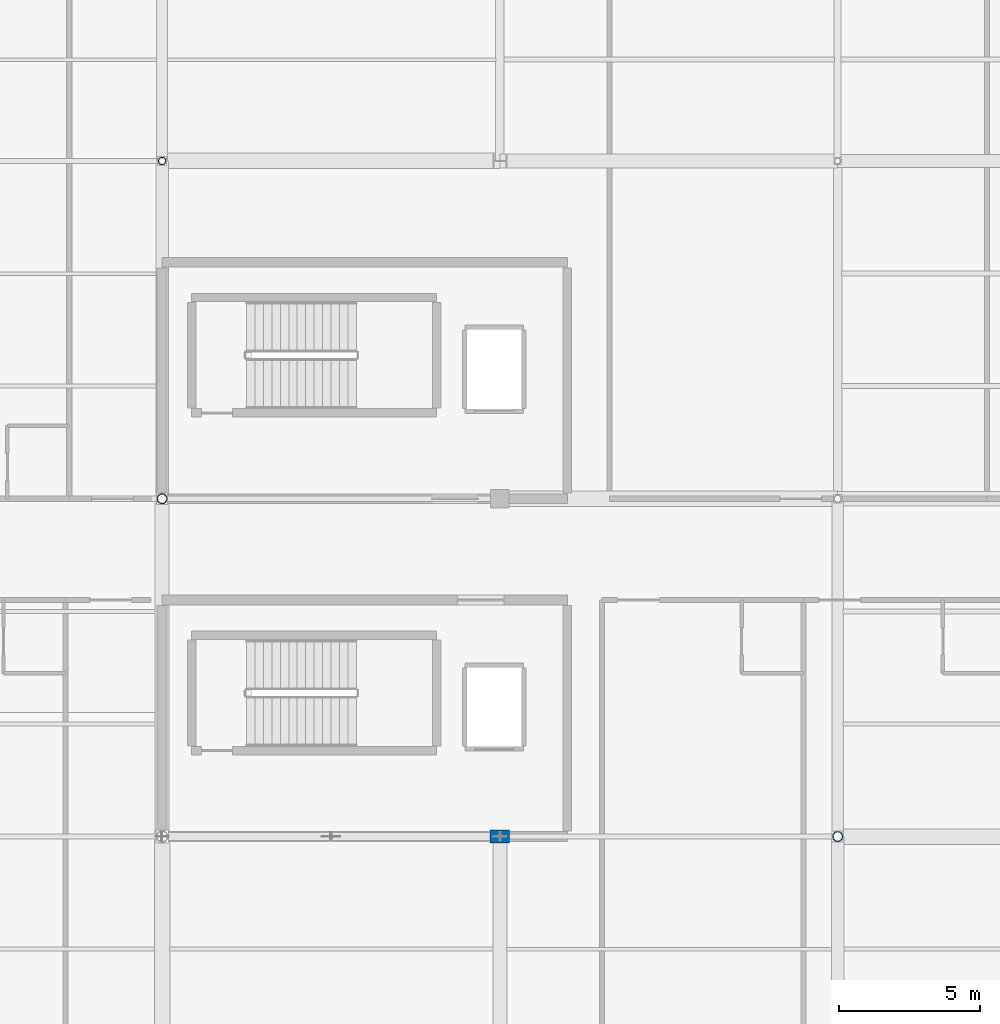
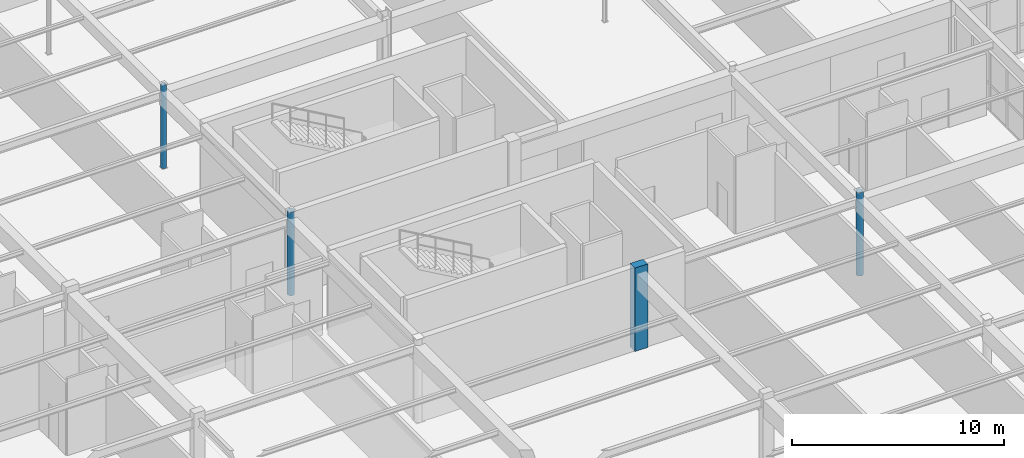
# One storey, part 19 of 226: 4 columns.
"""IFC4 building model written with IfcOpenShell, lengths in metres."""

from ifc_helpers import new_model, si_unit, direction, frame, origin, origin_2d, place, context, subcontext, project, spatial, rectangle, hollow_circle, extrude, material, material_profile, profile_set, type_object, element, save


model = new_model("IFC4")

# Units and contexts
model_context = context("Model", 3, precision=1e-05, world=origin(), true_north=direction((0.0, 1.0)))
body_context = subcontext(model_context, "Body", "Model", "MODEL_VIEW")
ifc_project = project(units=[si_unit("LENGTHUNIT", "METRE"), si_unit("AREAUNIT", "SQUARE_METRE"), si_unit("VOLUMEUNIT", "CUBIC_METRE"), si_unit("PLANEANGLEUNIT", "RADIAN"), si_unit("MASSUNIT", "GRAM", prefix="KILO")], contexts=[model_context])

# Site, building, storey
site_placement = place(None, origin())
site = spatial("IfcSite", under=ifc_project, at=site_placement, CompositionType="ELEMENT")
building_placement = place(site_placement, origin())
building = spatial("IfcBuilding", under=site, at=building_placement, Name="Tarnwether General Hospital", CompositionType="ELEMENT")
storey_placement = place(building_placement, frame((0.0, 0.0, 4.800048828125)))
storey = spatial("IfcBuildingStorey", under=building, at=storey_placement, Name="L01", CompositionType="ELEMENT", Elevation=4.800048828125)

# Columns
ifc_material_1 = material(Name="Steel Grade C350L0 (350 MPa)", Category="steel")
ifc_material_profile_1 = material_profile(ifc_material_1, hollow_circle(Radius=0.177734375, WallThickness=0.0126953125, at=origin_2d()), Name="CHS355.6x12.7")
ifc_profile_set_1 = profile_set([ifc_material_profile_1], Name="Steel Grade C350L0 (350 MPa)")
column_type_1 = type_object("IfcColumnType", Name="COL-11", PredefinedType="COLUMN", material=ifc_profile_set_1)
for number, where, z_axis, x_axis, name in (
    (1, (24.0, 81.60009765625, 0.0), (0.0, 0.0, 1.0), (1.0, 0.0, 0.0), "Column COLG-L01-2400_8160"),
    (2, (48.0, 69.60009765625, 0.0), (0.0, 0.0, 1.0), (1.0, 0.0, 0.0), "Column COLG-L01-4800_6960"),
):
    element("IfcColumn", number, at=place(storey_placement, frame(where, z_axis=z_axis, x_axis=x_axis)), inside=storey, type_object=column_type_1, Name=name, PredefinedType="COLUMN", context=body_context, shape_type="SweptSolid", body=[
        extrude(hollow_circle(Radius=0.177734375, WallThickness=0.0126953125, at=origin_2d()), origin(), (0.0, 0.0, 1.0), 4.800048828125),
    ])
ifc_material_2 = material(Name="Steel Grade C350L0 (350 MPa)", Category="steel")
ifc_material_profile_2 = material_profile(ifc_material_2, hollow_circle(Radius=0.136474609375, WallThickness=0.0126953125, at=origin_2d()), Name="CHS273.1x12.7")
ifc_profile_set_2 = profile_set([ifc_material_profile_2], Name="Steel Grade C350L0 (350 MPa)")
column_type_2 = type_object("IfcColumnType", Name="COL-12", PredefinedType="COLUMN", material=ifc_profile_set_2)
column_1_placement = place(storey_placement, frame((24.0, 93.60009765625, 0.0), z_axis=(0.0, 0.0, 1.0), x_axis=(1.0, 0.0, 0.0)))
element("IfcColumn", 3, at=column_1_placement, inside=storey, type_object=column_type_2, Name="Column COLG-L01-2400_9360", PredefinedType="COLUMN", context=body_context, shape_type="SweptSolid", body=[
    extrude(hollow_circle(Radius=0.136474609375, WallThickness=0.0126953125, at=origin_2d()), origin(), (0.0, 0.0, 1.0), 4.800048828125),
])
ifc_material_3 = material(Name="Concrete 50 MPa", Category="concrete")
ifc_material_profile_3 = material_profile(ifc_material_3, rectangle(XDim=0.449951171875, YDim=0.699951171875, at=origin_2d()), Name="RC-PIL-450x700")
ifc_profile_set_3 = profile_set([ifc_material_profile_3], Name="Concrete 50 MPa")
column_type_3 = type_object("IfcColumnType", Name="COL-22", PredefinedType="PILASTER", material=ifc_profile_set_3)
column_2_placement = place(storey_placement, frame((36.0, 69.60009765625, 0.0), z_axis=(0.0, 0.0, 1.0), x_axis=(0.0, 1.0, 0.0)))
element("IfcColumn", 4, at=column_2_placement, inside=storey, type_object=column_type_3, Name="Column COLG-L01-3600_6960", PredefinedType="PILASTER", context=body_context, shape_type="SweptSolid", body=[
    extrude(rectangle(XDim=0.449951171875, YDim=0.699951171875, at=origin_2d()), origin(), (0.0, 0.0, 1.0), 4.800048828125),
])

save(model, "model.ifc")
